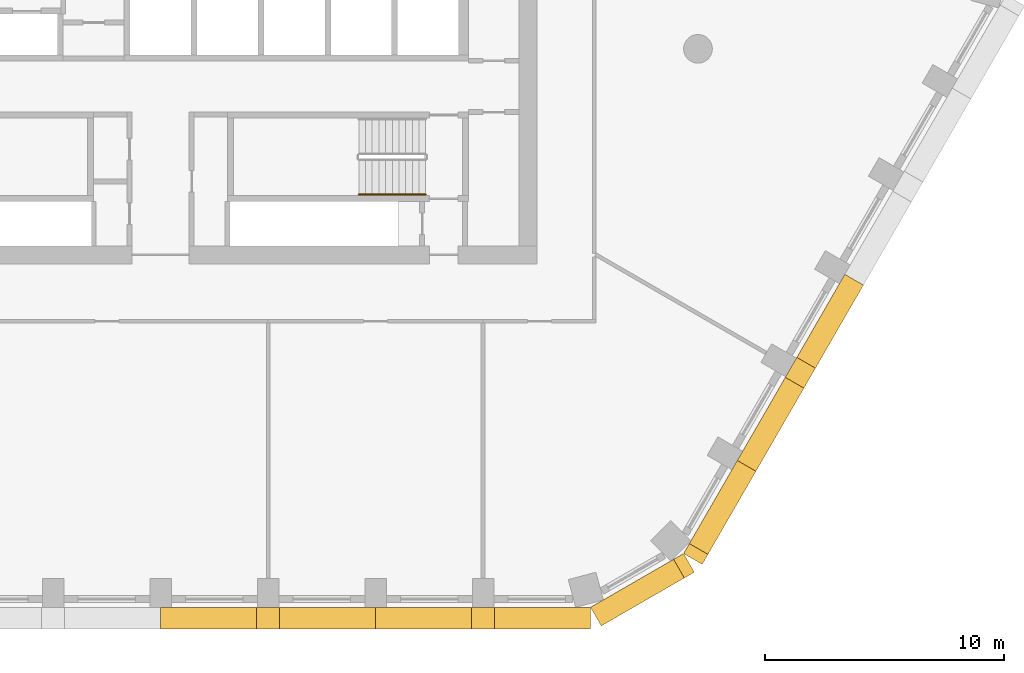
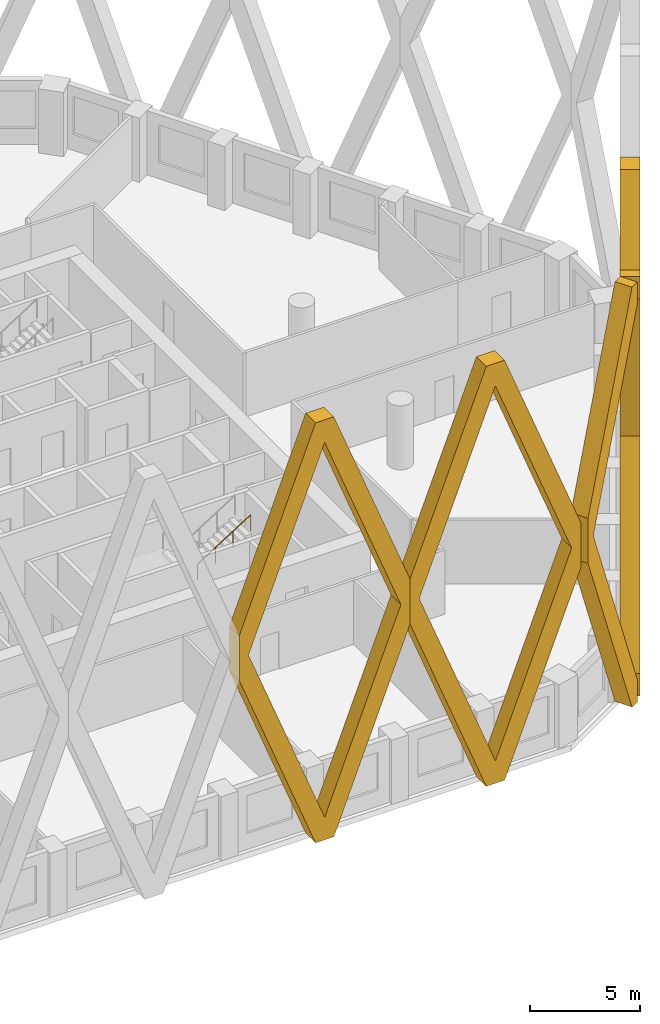
# One storey, part 11 of 17: 5 coverings, 1 railing.
"""IFC4 building model written with IfcOpenShell, lengths in metres."""

from ifc_helpers import new_model, si_unit, direction, frame, origin, origin_2d, place, context, subcontext, project, spatial, polyline, circle, outline, extrude, material, type_object, element, save


model = new_model("IFC4")

# Units and contexts
model_context = context("Model", 3, precision=1e-05, world=origin(), true_north=direction((0.0, 1.0)))
body_context = subcontext(model_context, "Body", "Model", "MODEL_VIEW")
ifc_project = project(units=[si_unit("LENGTHUNIT", "METRE"), si_unit("AREAUNIT", "SQUARE_METRE"), si_unit("VOLUMEUNIT", "CUBIC_METRE"), si_unit("PLANEANGLEUNIT", "RADIAN"), si_unit("MASSUNIT", "GRAM", prefix="KILO")], contexts=[model_context])

# Site, building, storey
site_placement = place(None, origin())
site = spatial("IfcSite", under=ifc_project, at=site_placement, CompositionType="ELEMENT")
building_placement = place(site_placement, origin())
building = spatial("IfcBuilding", under=site, at=building_placement, Name="Dhurran Vertical Campus", CompositionType="ELEMENT")
storey_placement = place(building_placement, frame((0.0, 0.0, 156.0)))
storey = spatial("IfcBuildingStorey", under=building, at=storey_placement, Name="L38", CompositionType="ELEMENT", Elevation=156.0)

# Coverings
ifc_material_1 = material(Name="Precast concrete C50/60", Category="concrete")
covering_type = type_object("IfcCoveringType", Name="Folded precast fin lattice diamond", PredefinedType="USERDEFINED", material=ifc_material_1)
for number, where, z_axis, x_axis, name in (
    (1, (0.0, -27.8828125, 0.0), (0.0, -1.0, 0.0), (1.0, 0.0, 0.0), "FN1 L38.003"),
    (2, (9.0, -27.8828125, 0.0), (0.0, -1.0, 0.0), (1.0, 0.0, 0.0), "FN1 L38.004"),
):
    element("IfcCovering", number, at=place(storey_placement, frame(where, z_axis=z_axis, x_axis=x_axis)), inside=storey, type_object=covering_type, Name=name, ObjectType="FIN", PredefinedType="USERDEFINED", context=body_context, shape_type="SweptSolid", body=[
        extrude(outline(polyline([(9.0, 12.95361328125), (9.0, 10.4462890625), (4.982177734375, 0.0), (4.017822265625, 0.0), (0.0, 10.4462890625), (0.0, 12.95361328125), (4.017822265625, 23.39990234375), (4.982177734375, 23.39990234375), (9.0, 12.95361328125)]), holes=[polyline([(8.517822265625, 11.699951171875), (4.5, 22.146484375), (0.482177734375, 11.699951171875), (4.5, 1.253662109375), (8.517822265625, 11.699951171875)])]), origin(), (0.0, 0.0, 1.0), 0.89990234375),
    ])
covering_1_placement = place(storey_placement, frame((18.0, -27.8828125, 0.0), z_axis=(0.50001992892, -0.866013897511, 0.0), x_axis=(0.866013897511, 0.50001992892, 0.0)))
element("IfcCovering", 3, at=covering_1_placement, inside=storey, type_object=covering_type, Name="FN1 L38.005", ObjectType="FIN", PredefinedType="USERDEFINED", context=body_context, shape_type="SweptSolid", body=[
    extrude(outline(polyline([(4.017822265625, 0.0), (0.0, 10.4462890625), (0.0, 12.95361328125), (4.017822265625, 23.39990234375), (4.5, 23.39990234375), (4.5, 22.146484375), (0.482177734375, 11.699951171875), (4.5, 1.253662109375), (4.5, 0.0), (4.017822265625, 0.0)])), origin(), (0.0, 0.0, 1.0), 0.89990234375),
])
covering_2_placement = place(storey_placement, frame((21.897216796875, -25.6328125, 0.0), z_axis=(0.866013897511, -0.50001992892, 0.0), x_axis=(0.50001992892, 0.866013897511, 0.0)))
element("IfcCovering", 4, at=covering_2_placement, inside=storey, type_object=covering_type, Name="FN1 L38.006", ObjectType="FIN", PredefinedType="USERDEFINED", context=body_context, shape_type="SweptSolid", body=[
    extrude(outline(polyline([(4.5, 10.4462890625), (0.482177734375, 0.0), (0.0, 0.0), (0.0, 1.253662109375), (4.017822265625, 11.699951171875), (0.0, 22.146484375), (0.0, 23.39990234375), (0.482177734375, 23.39990234375), (4.5, 12.95361328125), (4.5, 10.4462890625)])), origin(), (0.0, 0.0, 1.0), 0.89990234375),
])
covering_3_placement = place(storey_placement, frame((24.147216796875, -21.735595703125, 0.0), z_axis=(0.866013897511, -0.50001992892, 0.0), x_axis=(0.50001992892, 0.866013897511, 0.0)))
element("IfcCovering", 5, at=covering_3_placement, inside=storey, type_object=covering_type, Name="FN1 L38.007", ObjectType="FIN", PredefinedType="USERDEFINED", context=body_context, shape_type="SweptSolid", body=[
    extrude(outline(polyline([(9.0, 12.95361328125), (9.0, 10.4462890625), (4.982177734375, 0.0), (4.017822265625, 0.0), (0.0, 10.4462890625), (0.0, 12.95361328125), (4.017822265625, 23.39990234375), (4.982177734375, 23.39990234375), (9.0, 12.95361328125)]), holes=[polyline([(8.517822265625, 11.699951171875), (4.5, 22.146484375), (0.482177734375, 11.699951171875), (4.5, 1.253662109375), (8.517822265625, 11.699951171875)])]), origin(), (0.0, 0.0, 1.0), 0.89990234375),
])

# Railing
ifc_material_2 = material(Name="Stainless steel handrail", Category="steel")
railing_type = type_object("IfcRailingType", Name="co-RL-HANDRAIL-900", PredefinedType="HANDRAIL", material=ifc_material_2)
railing_placement = place(storey_placement, frame((8.300048828125, -10.60009765625, 2.127197265625)))
element("IfcRailing", 6, at=railing_placement, inside=storey, type_object=railing_type, Name="L38 ST4 stair handrail 2", PredefinedType="HANDRAIL", context=body_context, shape_type="SweptSolid", body=[
    extrude(circle(Radius=0.02392578125, at=origin_2d()), frame((0.0, 0.0, 0.8759765625), z_axis=(0.844908973607, 0.0, 0.534910110503), x_axis=(0.0, 1.0, 0.0)), (0.0, 0.0, 1.0), 3.31396484375),
    extrude(circle(Radius=0.02099609375, at=origin_2d()), origin(), (0.0, 0.0, 1.0), 0.851806640625),
    extrude(circle(Radius=0.02099609375, at=origin_2d()), frame((0.933349609375, 0.0, 0.5908203125)), (0.0, 0.0, 1.0), 0.851806640625),
    extrude(circle(Radius=0.02099609375, at=origin_2d()), frame((1.86669921875, 0.0, 1.181884765625)), (0.0, 0.0, 1.0), 0.851806640625),
    extrude(circle(Radius=0.02099609375, at=origin_2d()), frame((2.800048828125, 0.0, 1.772705078125)), (0.0, 0.0, 1.0), 0.851806640625),
])

save(model, "model.ifc")
